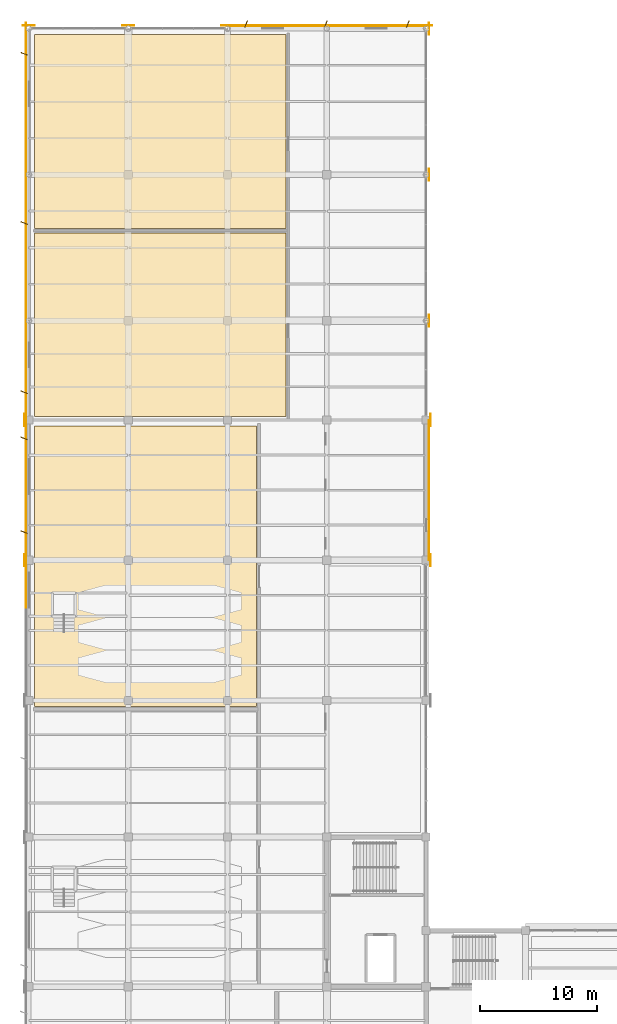
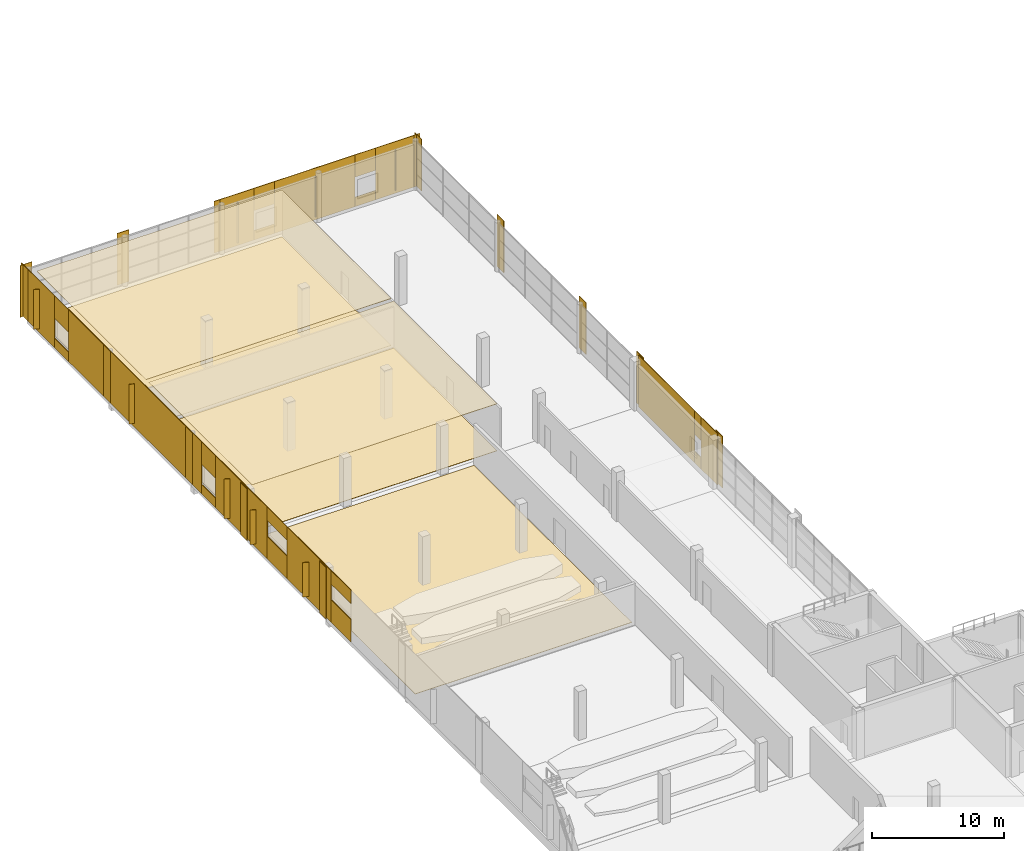
# One storey, part 107 of 112: 52 coverings.
"""IFC4 building model written with IfcOpenShell, lengths in metres."""

from ifc_helpers import new_model, si_unit, direction, frame, origin, origin_2d, place, context, subcontext, project, spatial, polyline, rectangle, outline, extrude, material, layer, layer_set, type_object, element, save


model = new_model("IFC4")

# Units and contexts
model_context = context("Model", 3, precision=1e-05, world=origin(), true_north=direction((0.0, 1.0)))
body_context = subcontext(model_context, "Body", "Model", "MODEL_VIEW")
ifc_project = project(units=[si_unit("LENGTHUNIT", "METRE"), si_unit("AREAUNIT", "SQUARE_METRE"), si_unit("VOLUMEUNIT", "CUBIC_METRE"), si_unit("PLANEANGLEUNIT", "RADIAN"), si_unit("MASSUNIT", "GRAM", prefix="KILO")], contexts=[model_context])

# Site, building, storey
site_placement = place(None, origin())
site = spatial("IfcSite", under=ifc_project, at=site_placement, CompositionType="ELEMENT")
building_placement = place(site_placement, origin())
building = spatial("IfcBuilding", under=site, at=building_placement, Name="Solvikara Media Centre", CompositionType="ELEMENT")
storey_placement = place(building_placement, frame((0.0, 0.0, 5.39990234375)))
storey = spatial("IfcBuildingStorey", under=building, at=storey_placement, Name="L01", CompositionType="ELEMENT", Elevation=5.39990234375)

# Coverings
ifc_material_1 = material(Name="Perforated acoustic gypsum ceiling board")
ifc_layer_1 = layer(ifc_material_1, 0.0400390625)
ifc_layer_set_1 = layer_set([ifc_layer_1], Name="Perforated acoustic gypsum ceiling board")
covering_type_1 = type_object("IfcCoveringType", Name="CV-01", PredefinedType="CEILING", material=ifc_layer_set_1)
covering_1_placement = place(storey_placement, frame((0.0, 0.0, 4.35009765625)))
element("IfcCovering", 1, at=covering_1_placement, inside=storey, type_object=covering_type_1, Name="CLG-020", PredefinedType="CEILING", context=body_context, shape_type="SweptSolid", body=[
    extrude(outline(polyline([(0.5, 80.800048828125), (22.0, 80.800048828125), (22.0, 96.5), (0.5, 96.5), (0.5, 80.800048828125)])), origin(), (0.0, 0.0, 1.0), 0.0400390625),
])
covering_2_placement = place(storey_placement, frame((0.0, 0.0, 4.35009765625)))
element("IfcCovering", 2, at=covering_2_placement, inside=storey, type_object=covering_type_1, Name="CLG-021", PredefinedType="CEILING", context=body_context, shape_type="SweptSolid", body=[
    extrude(outline(polyline([(0.5, 96.89990234375), (22.0, 96.89990234375), (22.0, 113.5), (0.5, 113.5), (0.5, 96.89990234375)])), origin(), (0.0, 0.0, 1.0), 0.0400390625),
])
ifc_material_2 = material(Name="Polished terrazzo floor finish")
ifc_layer_2 = layer(ifc_material_2, 0.030029296875)
ifc_layer_set_2 = layer_set([ifc_layer_2], Name="Polished terrazzo floor finish")
covering_type_2 = type_object("IfcCoveringType", Name="CV-02", PredefinedType="FLOORING", material=ifc_layer_set_2)
covering_3_placement = place(storey_placement, origin())
element("IfcCovering", 3, at=covering_3_placement, inside=storey, type_object=covering_type_2, Name="FLR-018", PredefinedType="FLOORING", context=body_context, shape_type="SweptSolid", body=[
    extrude(outline(polyline([(0.5, 56.0), (19.5, 56.0), (19.5, 80.0), (0.5, 80.0), (0.5, 56.0)])), origin(), (0.0, 0.0, 1.0), 0.030029296875),
])
covering_4_placement = place(storey_placement, origin())
element("IfcCovering", 4, at=covering_4_placement, inside=storey, type_object=covering_type_2, Name="FLR-020", PredefinedType="FLOORING", context=body_context, shape_type="SweptSolid", body=[
    extrude(outline(polyline([(0.5, 80.800048828125), (22.0, 80.800048828125), (22.0, 96.5), (0.5, 96.5), (0.5, 80.800048828125)])), origin(), (0.0, 0.0, 1.0), 0.030029296875),
])
covering_5_placement = place(storey_placement, origin())
element("IfcCovering", 5, at=covering_5_placement, inside=storey, type_object=covering_type_2, Name="FLR-021", PredefinedType="FLOORING", context=body_context, shape_type="SweptSolid", body=[
    extrude(outline(polyline([(0.5, 96.89990234375), (22.0, 96.89990234375), (22.0, 113.5), (0.5, 113.5), (0.5, 96.89990234375)])), origin(), (0.0, 0.0, 1.0), 0.030029296875),
])
ifc_material_3 = material(Name="GFRC white mineral architectural rainscreen panel")
ifc_layer_3 = layer(ifc_material_3, 0.050048828125)
ifc_layer_set_3 = layer_set([ifc_layer_3], Name="GFRC white mineral architectural rainscreen panel")
covering_type_3 = type_object("IfcCoveringType", Name="CV-04", PredefinedType="CLADDING", material=ifc_layer_set_3)
for number, where, z_axis, x_axis, name in (
    (6, (-0.375, 68.5, 0.0), (0.0, 0.0, 1.0), (0.0, -1.0, 0.0), "PIL-L01-026"),
    (7, (-0.375, 80.5, 0.0), (0.0, 0.0, 1.0), (0.0, -1.0, 0.0), "PIL-L01-030"),
    (8, (-0.25390625, 89.0, 0.0), (0.0, 0.0, 1.0), (0.0, -1.0, 0.0), "PIL-L01-034"),
    (9, (-0.25390625, 101.5, 0.0), (0.0, 0.0, 1.0), (0.0, -1.0, 0.0), "PIL-L01-037"),
    (10, (-0.25390625, 114.0, 0.0), (0.0, 0.0, 1.0), (0.0, -1.0, 0.0), "PIL-L01-042"),
    (11, (0.0, 114.25390625, 0.0), (0.0, 0.0, 1.0), (-1.0, 0.0, 0.0), "PIL-L01-043"),
    (12, (8.5, 114.25390625, 0.0), (0.0, 0.0, 1.0), (-1.0, 0.0, 0.0), "PIL-L01-052"),
    (13, (17.0, 114.25390625, 0.0), (0.0, 0.0, 1.0), (-1.0, 0.0, 0.0), "PIL-L01-059"),
    (14, (25.5, 114.25390625, 0.0), (0.0, 0.0, 1.0), (-1.0, 0.0, 0.0), "PIL-L01-066"),
    (15, (34.375, 68.5, 0.0), (0.0, 0.0, 1.0), (0.0, 1.0, 0.0), "PIL-L01-074"),
    (16, (34.375, 80.5, 0.0), (0.0, 0.0, 1.0), (0.0, 1.0, 0.0), "PIL-L01-078"),
    (17, (34.25390625, 89.0, 0.0), (0.0, 0.0, 1.0), (0.0, 1.0, 0.0), "PIL-L01-082"),
    (18, (34.25390625, 101.5, 0.0), (0.0, 0.0, 1.0), (0.0, 1.0, 0.0), "PIL-L01-085"),
    (19, (34.25390625, 114.0, 0.0), (0.0, 0.0, 1.0), (0.0, 1.0, 0.0), "PIL-L01-090"),
    (20, (34.0, 114.25390625, 0.0), (0.0, 0.0, 1.0), (-1.0, 0.0, 0.0), "PIL-L01-091"),
):
    element("IfcCovering", number, at=place(storey_placement, frame(where, z_axis=z_axis, x_axis=x_axis)), inside=storey, type_object=covering_type_3, Name=name, PredefinedType="CLADDING", context=body_context, shape_type="SweptSolid", body=[
        extrude(rectangle(XDim=1.0400390625, YDim=0.050048828125, at=origin_2d()), origin(), (0.0, 0.0, 1.0), 4.800048828125),
    ])
covering_6_placement = place(storey_placement, frame((-0.2451171875, 65.949951171875, 0.0), z_axis=(0.0, 0.0, 1.0), x_axis=(0.0, 1.0, 0.0)))
element("IfcCovering", 21, at=covering_6_placement, inside=storey, type_object=covering_type_3, Name="L01-V4W-CV-S04", PredefinedType="CLADDING", context=body_context, shape_type="SweptSolid", body=[
    extrude(rectangle(XDim=3.0, YDim=0.050048828125, at=origin_2d()), origin(), (0.0, 0.0, 1.0), 2.090087890625),
])
covering_7_placement = place(storey_placement, frame((-0.2451171875, 65.949951171875, 3.550048828125), z_axis=(0.0, 0.0, 1.0), x_axis=(0.0, 1.0, 0.0)))
element("IfcCovering", 22, at=covering_7_placement, inside=storey, type_object=covering_type_3, Name="L01-V4W-CV-H04", PredefinedType="CLADDING", context=body_context, shape_type="SweptSolid", body=[
    extrude(rectangle(XDim=3.0, YDim=0.050048828125, at=origin_2d()), origin(), (0.0, 0.0, 1.0), 1.25),
])
covering_8_placement = place(storey_placement, frame((-0.2451171875, 70.800048828125, 0.0), z_axis=(0.0, 0.0, 1.0), x_axis=(0.0, 1.0, 0.0)))
element("IfcCovering", 23, at=covering_8_placement, inside=storey, type_object=covering_type_3, Name="L01-V4W-CV-F05", PredefinedType="CLADDING", context=body_context, shape_type="SweptSolid", body=[
    extrude(rectangle(XDim=6.699951171875, YDim=0.050048828125, at=origin_2d()), origin(), (0.0, 0.0, 1.0), 4.800048828125),
])
covering_9_placement = place(storey_placement, frame((-0.425048828125, 70.909912109375, 0.35009765625), z_axis=(0.0, 0.0, 1.0), x_axis=(-0.930749810713, 0.3656566557, 0.0)))
element("IfcCovering", 24, at=covering_9_placement, inside=storey, type_object=covering_type_3, Name="L01-V4W-FIN-05", PredefinedType="CLADDING", context=body_context, shape_type="SweptSolid", body=[
    extrude(rectangle(XDim=0.60205078125, YDim=0.050048828125, at=origin_2d()), origin(), (0.0, 0.0, 1.0), 3.179931640625),
])
covering_10_placement = place(storey_placement, frame((-0.2451171875, 75.64990234375, 0.0), z_axis=(0.0, 0.0, 1.0), x_axis=(0.0, 1.0, 0.0)))
element("IfcCovering", 25, at=covering_10_placement, inside=storey, type_object=covering_type_3, Name="L01-V4W-CV-S06", PredefinedType="CLADDING", context=body_context, shape_type="SweptSolid", body=[
    extrude(rectangle(XDim=3.0, YDim=0.050048828125, at=origin_2d()), origin(), (0.0, 0.0, 1.0), 2.090087890625),
])
covering_11_placement = place(storey_placement, frame((-0.2451171875, 75.64990234375, 3.550048828125), z_axis=(0.0, 0.0, 1.0), x_axis=(0.0, 1.0, 0.0)))
element("IfcCovering", 26, at=covering_11_placement, inside=storey, type_object=covering_type_3, Name="L01-V4W-CV-H06", PredefinedType="CLADDING", context=body_context, shape_type="SweptSolid", body=[
    extrude(rectangle(XDim=3.0, YDim=0.050048828125, at=origin_2d()), origin(), (0.0, 0.0, 1.0), 1.25),
])
covering_12_placement = place(storey_placement, frame((-0.2451171875, 78.824951171875, 0.0), z_axis=(0.0, 0.0, 1.0), x_axis=(0.0, 1.0, 0.0)))
element("IfcCovering", 27, at=covering_12_placement, inside=storey, type_object=covering_type_3, Name="L01-V4W-CV-F07", PredefinedType="CLADDING", context=body_context, shape_type="SweptSolid", body=[
    extrude(rectangle(XDim=3.35009765625, YDim=0.050048828125, at=origin_2d()), origin(), (0.0, 0.0, 1.0), 4.800048828125),
])
covering_13_placement = place(storey_placement, frame((-0.425048828125, 78.93505859375, 0.35009765625), z_axis=(0.0, 0.0, 1.0), x_axis=(-0.930749810713, 0.3656566557, 0.0)))
element("IfcCovering", 28, at=covering_13_placement, inside=storey, type_object=covering_type_3, Name="L01-V4W-FIN-07", PredefinedType="CLADDING", context=body_context, shape_type="SweptSolid", body=[
    extrude(rectangle(XDim=0.60205078125, YDim=0.050048828125, at=origin_2d()), origin(), (0.0, 0.0, 1.0), 3.179931640625),
])
covering_14_placement = place(storey_placement, frame((34.2451171875, 69.75, 0.0), z_axis=(0.0, 0.0, 1.0), x_axis=(0.0, 1.0, 0.0)))
element("IfcCovering", 29, at=covering_14_placement, inside=storey, type_object=covering_type_3, Name="L01-V4E-CV-F01", PredefinedType="CLADDING", context=body_context, shape_type="SweptSolid", body=[
    extrude(rectangle(XDim=2.5, YDim=0.050048828125, at=origin_2d()), origin(), (0.0, 0.0, 1.0), 4.800048828125),
])
covering_15_placement = place(storey_placement, frame((34.2451171875, 71.5, 0.0), z_axis=(0.0, 0.0, 1.0), x_axis=(0.0, 1.0, 0.0)))
element("IfcCovering", 30, at=covering_15_placement, inside=storey, type_object=covering_type_3, Name="L01-V4E-CV-S02", PredefinedType="CLADDING", context=body_context, shape_type="SweptSolid", body=[
    extrude(rectangle(XDim=1.0, YDim=0.050048828125, at=origin_2d()), origin(), (0.0, 0.0, 1.0), 1.070068359375),
])
covering_16_placement = place(storey_placement, frame((34.2451171875, 71.5, 2.630126953125), z_axis=(0.0, 0.0, 1.0), x_axis=(0.0, 1.0, 0.0)))
element("IfcCovering", 31, at=covering_16_placement, inside=storey, type_object=covering_type_3, Name="L01-V4E-CV-H02", PredefinedType="CLADDING", context=body_context, shape_type="SweptSolid", body=[
    extrude(rectangle(XDim=1.0, YDim=0.050048828125, at=origin_2d()), origin(), (0.0, 0.0, 1.0), 2.169921875),
])
covering_17_placement = place(storey_placement, frame((34.2451171875, 76.25, 0.0), z_axis=(0.0, 0.0, 1.0), x_axis=(0.0, 1.0, 0.0)))
element("IfcCovering", 32, at=covering_17_placement, inside=storey, type_object=covering_type_3, Name="L01-V4E-CV-F03", PredefinedType="CLADDING", context=body_context, shape_type="SweptSolid", body=[
    extrude(rectangle(XDim=8.5, YDim=0.050048828125, at=origin_2d()), origin(), (0.0, 0.0, 1.0), 4.800048828125),
])
covering_18_placement = place(storey_placement, frame((-0.2451171875, 82.76708984375, 0.0), z_axis=(0.0, 0.0, 1.0), x_axis=(0.0, 1.0, 0.0)))
element("IfcCovering", 33, at=covering_18_placement, inside=storey, type_object=covering_type_3, Name="L01-V3W-CV-F01", PredefinedType="CLADDING", context=body_context, shape_type="SweptSolid", body=[
    extrude(rectangle(XDim=4.532958984375, YDim=0.050048828125, at=origin_2d()), origin(), (0.0, 0.0, 1.0), 4.800048828125),
])
covering_19_placement = place(storey_placement, frame((-0.39990234375, 82.8759765625, 0.35009765625), z_axis=(0.0, 0.0, 1.0), x_axis=(-0.930749810713, 0.3656566557, 0.0)))
element("IfcCovering", 34, at=covering_19_placement, inside=storey, type_object=covering_type_3, Name="L01-V3W-FIN-01", PredefinedType="CLADDING", context=body_context, shape_type="SweptSolid", body=[
    extrude(rectangle(XDim=0.60205078125, YDim=0.050048828125, at=origin_2d()), origin(), (0.0, 0.0, 1.0), 3.66796875),
])
covering_20_placement = place(storey_placement, frame((-0.2451171875, 86.0830078125, 0.0), z_axis=(0.0, 0.0, 1.0), x_axis=(0.0, 1.0, 0.0)))
element("IfcCovering", 35, at=covering_20_placement, inside=storey, type_object=covering_type_3, Name="L01-V3W-CV-S02", PredefinedType="CLADDING", context=body_context, shape_type="SweptSolid", body=[
    extrude(rectangle(XDim=2.10009765625, YDim=0.050048828125, at=origin_2d()), origin(), (0.0, 0.0, 1.0), 0.8701171875),
])
covering_21_placement = place(storey_placement, frame((-0.2451171875, 86.0830078125, 2.72998046875), z_axis=(0.0, 0.0, 1.0), x_axis=(0.0, 1.0, 0.0)))
element("IfcCovering", 36, at=covering_21_placement, inside=storey, type_object=covering_type_3, Name="L01-V3W-CV-H02", PredefinedType="CLADDING", context=body_context, shape_type="SweptSolid", body=[
    extrude(rectangle(XDim=2.10009765625, YDim=0.050048828125, at=origin_2d()), origin(), (0.0, 0.0, 1.0), 2.070068359375),
])
covering_22_placement = place(storey_placement, frame((-0.2451171875, 97.25, 0.0), z_axis=(0.0, 0.0, 1.0), x_axis=(0.0, 1.0, 0.0)))
element("IfcCovering", 37, at=covering_22_placement, inside=storey, type_object=covering_type_3, Name="L01-V3W-CV-F03", PredefinedType="CLADDING", context=body_context, shape_type="SweptSolid", body=[
    extrude(rectangle(XDim=20.23388671875, YDim=0.050048828125, at=origin_2d()), origin(), (0.0, 0.0, 1.0), 4.800048828125),
])
covering_23_placement = place(storey_placement, frame((-0.39990234375, 97.360107421875, 0.35009765625), z_axis=(0.0, 0.0, 1.0), x_axis=(-0.930749810713, 0.3656566557, 0.0)))
element("IfcCovering", 38, at=covering_23_placement, inside=storey, type_object=covering_type_3, Name="L01-V3W-FIN-03", PredefinedType="CLADDING", context=body_context, shape_type="SweptSolid", body=[
    extrude(rectangle(XDim=0.60205078125, YDim=0.050048828125, at=origin_2d()), origin(), (0.0, 0.0, 1.0), 3.66796875),
])
covering_24_placement = place(storey_placement, frame((-0.2451171875, 108.4169921875, 0.0), z_axis=(0.0, 0.0, 1.0), x_axis=(0.0, 1.0, 0.0)))
element("IfcCovering", 39, at=covering_24_placement, inside=storey, type_object=covering_type_3, Name="L01-V3W-CV-S04", PredefinedType="CLADDING", context=body_context, shape_type="SweptSolid", body=[
    extrude(rectangle(XDim=2.10009765625, YDim=0.050048828125, at=origin_2d()), origin(), (0.0, 0.0, 1.0), 0.8701171875),
])
covering_25_placement = place(storey_placement, frame((-0.2451171875, 108.4169921875, 2.72998046875), z_axis=(0.0, 0.0, 1.0), x_axis=(0.0, 1.0, 0.0)))
element("IfcCovering", 40, at=covering_25_placement, inside=storey, type_object=covering_type_3, Name="L01-V3W-CV-H04", PredefinedType="CLADDING", context=body_context, shape_type="SweptSolid", body=[
    extrude(rectangle(XDim=2.10009765625, YDim=0.050048828125, at=origin_2d()), origin(), (0.0, 0.0, 1.0), 2.070068359375),
])
covering_26_placement = place(storey_placement, frame((-0.2451171875, 111.73291015625, 0.0), z_axis=(0.0, 0.0, 1.0), x_axis=(0.0, 1.0, 0.0)))
element("IfcCovering", 41, at=covering_26_placement, inside=storey, type_object=covering_type_3, Name="L01-V3W-CV-F05", PredefinedType="CLADDING", context=body_context, shape_type="SweptSolid", body=[
    extrude(rectangle(XDim=4.532958984375, YDim=0.050048828125, at=origin_2d()), origin(), (0.0, 0.0, 1.0), 4.800048828125),
])
covering_27_placement = place(storey_placement, frame((-0.39990234375, 111.843017578125, 0.35009765625), z_axis=(0.0, 0.0, 1.0), x_axis=(-0.930749810713, 0.3656566557, 0.0)))
element("IfcCovering", 42, at=covering_27_placement, inside=storey, type_object=covering_type_3, Name="L01-V3W-FIN-05", PredefinedType="CLADDING", context=body_context, shape_type="SweptSolid", body=[
    extrude(rectangle(XDim=0.60205078125, YDim=0.050048828125, at=origin_2d()), origin(), (0.0, 0.0, 1.0), 3.66796875),
])
covering_28_placement = place(storey_placement, frame((18.485107421875, 114.2451171875, 0.0), z_axis=(0.0, 0.0, 1.0), x_axis=(1.0, 0.0, 0.0)))
element("IfcCovering", 43, at=covering_28_placement, inside=storey, type_object=covering_type_3, Name="L01-V3N-CV-F01", PredefinedType="CLADDING", context=body_context, shape_type="SweptSolid", body=[
    extrude(rectangle(XDim=2.969970703125, YDim=0.050048828125, at=origin_2d()), origin(), (0.0, 0.0, 1.0), 4.800048828125),
])
covering_29_placement = place(storey_placement, frame((18.594970703125, 114.39990234375, 0.35009765625), z_axis=(0.0, 0.0, 1.0), x_axis=(0.3656566557, 0.930749810713, 0.0)))
element("IfcCovering", 44, at=covering_29_placement, inside=storey, type_object=covering_type_3, Name="L01-V3N-FIN-01", PredefinedType="CLADDING", context=body_context, shape_type="SweptSolid", body=[
    extrude(rectangle(XDim=0.60205078125, YDim=0.050048828125, at=origin_2d()), origin(), (0.0, 0.0, 1.0), 3.7080078125),
])
covering_30_placement = place(storey_placement, frame((20.8701171875, 114.2451171875, 0.0), z_axis=(0.0, 0.0, 1.0), x_axis=(1.0, 0.0, 0.0)))
element("IfcCovering", 45, at=covering_30_placement, inside=storey, type_object=covering_type_3, Name="L01-V3N-CV-S02", PredefinedType="CLADDING", context=body_context, shape_type="SweptSolid", body=[
    extrude(rectangle(XDim=1.800048828125, YDim=0.050048828125, at=origin_2d()), origin(), (0.0, 0.0, 1.0), 0.8701171875),
])
covering_31_placement = place(storey_placement, frame((20.8701171875, 114.2451171875, 2.72998046875), z_axis=(0.0, 0.0, 1.0), x_axis=(1.0, 0.0, 0.0)))
element("IfcCovering", 46, at=covering_31_placement, inside=storey, type_object=covering_type_3, Name="L01-V3N-CV-H02", PredefinedType="CLADDING", context=body_context, shape_type="SweptSolid", body=[
    extrude(rectangle(XDim=1.800048828125, YDim=0.050048828125, at=origin_2d()), origin(), (0.0, 0.0, 1.0), 2.070068359375),
])
covering_32_placement = place(storey_placement, frame((25.31005859375, 114.2451171875, 0.0), z_axis=(0.0, 0.0, 1.0), x_axis=(1.0, 0.0, 0.0)))
element("IfcCovering", 47, at=covering_32_placement, inside=storey, type_object=covering_type_3, Name="L01-V3N-CV-F03", PredefinedType="CLADDING", context=body_context, shape_type="SweptSolid", body=[
    extrude(rectangle(XDim=7.080078125, YDim=0.050048828125, at=origin_2d()), origin(), (0.0, 0.0, 1.0), 4.800048828125),
])
covering_33_placement = place(storey_placement, frame((25.419921875, 114.39990234375, 0.35009765625), z_axis=(0.0, 0.0, 1.0), x_axis=(0.3656566557, 0.930749810713, 0.0)))
element("IfcCovering", 48, at=covering_33_placement, inside=storey, type_object=covering_type_3, Name="L01-V3N-FIN-03", PredefinedType="CLADDING", context=body_context, shape_type="SweptSolid", body=[
    extrude(rectangle(XDim=0.60205078125, YDim=0.050048828125, at=origin_2d()), origin(), (0.0, 0.0, 1.0), 3.7080078125),
])
covering_34_placement = place(storey_placement, frame((29.75, 114.2451171875, 0.0), z_axis=(0.0, 0.0, 1.0), x_axis=(1.0, 0.0, 0.0)))
element("IfcCovering", 49, at=covering_34_placement, inside=storey, type_object=covering_type_3, Name="L01-V3N-CV-S04", PredefinedType="CLADDING", context=body_context, shape_type="SweptSolid", body=[
    extrude(rectangle(XDim=1.800048828125, YDim=0.050048828125, at=origin_2d()), origin(), (0.0, 0.0, 1.0), 0.8701171875),
])
covering_35_placement = place(storey_placement, frame((29.75, 114.2451171875, 2.72998046875), z_axis=(0.0, 0.0, 1.0), x_axis=(1.0, 0.0, 0.0)))
element("IfcCovering", 50, at=covering_35_placement, inside=storey, type_object=covering_type_3, Name="L01-V3N-CV-H04", PredefinedType="CLADDING", context=body_context, shape_type="SweptSolid", body=[
    extrude(rectangle(XDim=1.800048828125, YDim=0.050048828125, at=origin_2d()), origin(), (0.0, 0.0, 1.0), 2.070068359375),
])
covering_36_placement = place(storey_placement, frame((32.324951171875, 114.2451171875, 0.0), z_axis=(0.0, 0.0, 1.0), x_axis=(1.0, 0.0, 0.0)))
element("IfcCovering", 51, at=covering_36_placement, inside=storey, type_object=covering_type_3, Name="L01-V3N-CV-F05", PredefinedType="CLADDING", context=body_context, shape_type="SweptSolid", body=[
    extrude(rectangle(XDim=3.35009765625, YDim=0.050048828125, at=origin_2d()), origin(), (0.0, 0.0, 1.0), 4.800048828125),
])
covering_37_placement = place(storey_placement, frame((32.43505859375, 114.39990234375, 0.35009765625), z_axis=(0.0, 0.0, 1.0), x_axis=(0.3656566557, 0.930749810713, 0.0)))
element("IfcCovering", 52, at=covering_37_placement, inside=storey, type_object=covering_type_3, Name="L01-V3N-FIN-05", PredefinedType="CLADDING", context=body_context, shape_type="SweptSolid", body=[
    extrude(rectangle(XDim=0.60205078125, YDim=0.050048828125, at=origin_2d()), origin(), (0.0, 0.0, 1.0), 3.7080078125),
])

save(model, "model.ifc")
